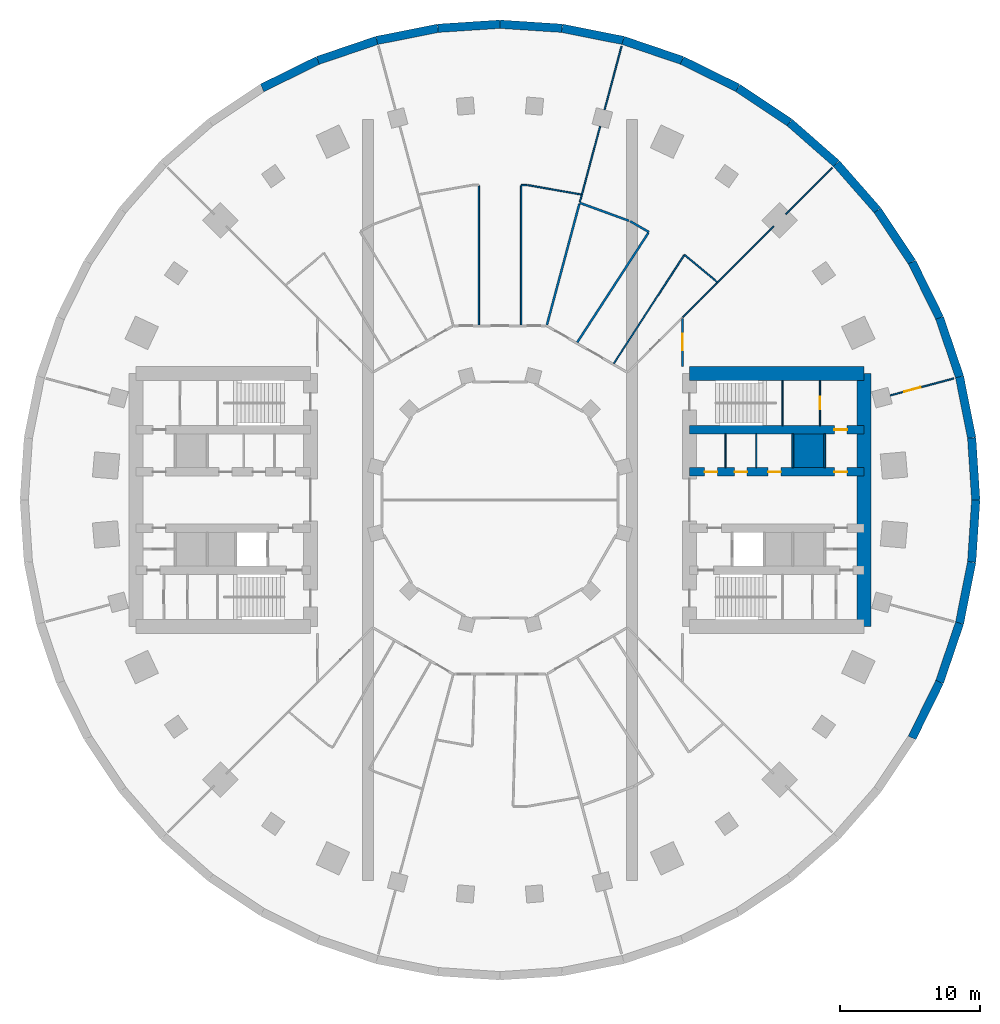
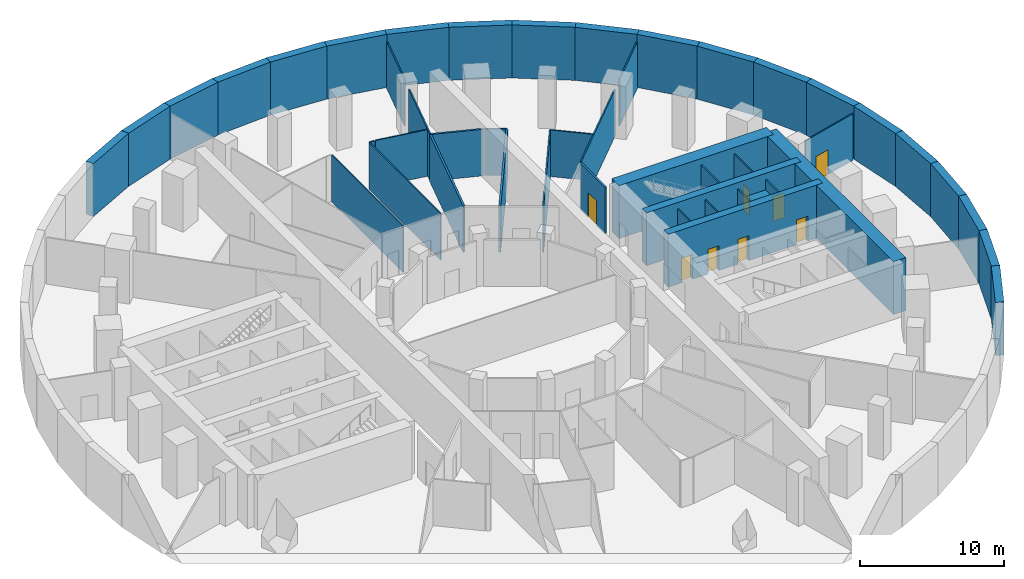
# One storey, part 6 of 8: 47 walls, 8 doors, 8 openings.
"""IFC4 building model written with IfcOpenShell, lengths in metres."""

from ifc_helpers import new_model, si_unit, direction, frame, frame_2d, origin, place, context, subcontext, project, spatial, rectangle, extrude, material, layer, layer_set, type_object, element, fill, save


model = new_model("IFC4")

# Units and contexts
model_context = context("Model", 3, precision=1e-05, world=origin(), true_north=direction((0.0, 1.0)))
body_context = subcontext(model_context, "Body", "Model", "MODEL_VIEW")
ifc_project = project(units=[si_unit("LENGTHUNIT", "METRE"), si_unit("AREAUNIT", "SQUARE_METRE"), si_unit("VOLUMEUNIT", "CUBIC_METRE"), si_unit("PLANEANGLEUNIT", "RADIAN"), si_unit("MASSUNIT", "GRAM", prefix="KILO")], contexts=[model_context])

# Site, building, storey
site_placement = place(None, origin())
site = spatial("IfcSite", under=ifc_project, at=site_placement, CompositionType="ELEMENT")
building_placement = place(site_placement, origin())
building = spatial("IfcBuilding", under=site, at=building_placement, Name="Saqina Gate Tower", CompositionType="ELEMENT")
storey_placement = place(building_placement, frame((0.0, 0.0, -4.5)))
storey = spatial("IfcBuildingStorey", under=building, at=storey_placement, Name="B1", CompositionType="ELEMENT", Elevation=-4.5)

# Walls
ifc_material_1 = material(Name="Gypsum board on steel studs", Category="steel")
ifc_layer_1 = layer(ifc_material_1, 0.10009765625)
ifc_layer_set_1 = layer_set([ifc_layer_1], Name="CORE PARTITION")
wall_type_1 = type_object("IfcWallType", Name="CORE PARTITION", PredefinedType="PARTITIONING", material=ifc_layer_set_1)
for number, where, z_axis, x_axis, name in (
    (1, (16.052001953125, 2.300048828125, 0.0), (0.0, 0.0, 1.0), (0.0, 1.0, 0.0), "B1-CP-E01"),
    (2, (18.24072265625, 2.300048828125, 0.0), (0.0, 0.0, 1.0), (0.0, 1.0, 0.0), "B1-CP-E02"),
):
    element("IfcWall", number, at=place(storey_placement, frame(where, z_axis=z_axis, x_axis=x_axis)), inside=storey, type_object=wall_type_1, Name=name, PredefinedType="PARTITIONING", context=body_context, shape_type="SweptSolid", body=[
        extrude(rectangle(XDim=2.39990234375, YDim=0.10009765625, at=frame_2d((1.199951171875, 0.0))), origin(), (0.0, 0.0, 1.0), 3.949951171875),
    ])

# Wall, opening, door
wall_1_placement = place(storey_placement, frame((22.780029296875, 5.300048828125, 0.0), z_axis=(0.0, 0.0, 1.0), x_axis=(0.0, 1.0, 0.0)))
wall_1 = element("IfcWall", 3, at=wall_1_placement, inside=storey, type_object=wall_type_1, Name="B1-CP-E11", PredefinedType="PARTITIONING", context=body_context, shape_type="SweptSolid", body=[
    extrude(rectangle(XDim=3.199951171875, YDim=0.10009765625, at=frame_2d((1.60009765625, 0.0))), origin(), (0.0, 0.0, 1.0), 3.949951171875),
])
opening_1_placement = place(wall_1_placement, frame((1.14990234375, 0.0, 0.0)))
opening_1 = element("IfcOpeningElement", 4, at=opening_1_placement, cuts=wall_1, Name="Opening B1-D96", PredefinedType="OPENING", context=body_context, shape_type="SweptSolid", body=[
    extrude(rectangle(XDim=0.89990234375, YDim=2.10009765625, at=frame_2d((0.449951171875, 1.050048828125))), frame((0.0, 0.06201171875, 0.0), z_axis=(0.0, -1.0, 0.0), x_axis=(1.0, 0.0, 0.0)), (0.0, 0.0, 1.0), 0.1240234375),
])
ifc_material_2 = material(Name="Steel-framed fire door leaf, EI 60", Category="steel")
door_type_1 = type_object("IfcDoorType", Name="SERVICE ROOM DOOR 900", OperationType="SINGLE_SWING_LEFT", PredefinedType="DOOR", material=ifc_material_2)
door_1_placement = place(opening_1_placement, origin())
door_1 = element("IfcDoor", 5, at=door_1_placement, inside=storey, type_object=door_type_1, Name="B1-CD-E07", OperationType="SINGLE_SWING_LEFT", OverallHeight=2.10009765625, OverallWidth=0.89990234375, PredefinedType="DOOR", context=body_context, shape_type="SweptSolid", body=[
    extrude(rectangle(XDim=0.89990234375, YDim=2.10009765625, at=frame_2d((0.449951171875, 1.050048828125))), frame((0.0, 0.02490234375, 0.0), z_axis=(0.0, -1.0, 0.0), x_axis=(1.0, 0.0, 0.0)), (0.0, 0.0, 1.0), 0.050048828125),
])
fill(opening_1, door_1)

# Walls
ifc_material_3 = material(Name="Concrete C40/50", Category="concrete")
ifc_layer_2 = layer(ifc_material_3, 2.39990234375)
ifc_layer_set_2 = layer_set([ifc_layer_2], Name="Concrete C40/50")
wall_type_2 = type_object("IfcWallType", Name="LIFT PIT PEDESTAL", PredefinedType="SOLIDWALL", material=ifc_layer_set_2)
wall_2_placement = place(storey_placement, frame((20.89990234375, 3.5, 0.0), z_axis=(0.0, 0.0, 1.0), x_axis=(1.0, 0.0, 0.0)))
element("IfcWall", 6, at=wall_2_placement, inside=storey, type_object=wall_type_2, Name="LIFT PIT BASE LR1", PredefinedType="SOLIDWALL", context=body_context, shape_type="SweptSolid", body=[
    extrude(rectangle(XDim=2.16015625, YDim=2.39990234375, at=frame_2d((1.080078125, 0.0))), origin(), (0.0, 0.0, 1.0), 3.10009765625),
])
ifc_material_4 = material(Name="Autoclaved aerated concrete block", Category="concrete")
ifc_layer_3 = layer(ifc_material_4, 0.1201171875)
ifc_layer_set_3 = layer_set([ifc_layer_3], Name="SHAFT PARTITION")
wall_type_3 = type_object("IfcWallType", Name="SHAFT PARTITION", PredefinedType="PARTITIONING", material=ifc_layer_set_3)
for number, where, z_axis, x_axis, name in (
    (7, (20.840087890625, 2.300048828125, 0.0), (0.0, 0.0, 1.0), (0.0, 1.0, 0.0), "B1-CP-E03"),
    (8, (23.1201171875, 2.300048828125, 0.0), (0.0, 0.0, 1.0), (0.0, 1.0, 0.0), "B1-CP-E04"),
):
    element("IfcWall", number, at=place(storey_placement, frame(where, z_axis=z_axis, x_axis=x_axis)), inside=storey, type_object=wall_type_3, Name=name, PredefinedType="PARTITIONING", context=body_context, shape_type="SweptSolid", body=[
        extrude(rectangle(XDim=2.39990234375, YDim=0.1201171875, at=frame_2d((1.199951171875, 0.0))), origin(), (0.0, 0.0, 1.0), 3.949951171875),
    ])
ifc_material_5 = material(Name="Gypsum board on steel studs, 100 mm", Category="steel")
ifc_layer_4 = layer(ifc_material_5, 0.10009765625)
ifc_layer_set_4 = layer_set([ifc_layer_4], Name="SPECIAL PARTITION 100")
wall_type_4 = type_object("IfcWallType", Name="SPECIAL PARTITION 100", PredefinedType="PARTITIONING", material=ifc_layer_set_4)
wall_3_placement = place(storey_placement, frame((13.131103515625, 17.466064453125, 0.0), z_axis=(0.0, 0.0, 1.0), x_axis=(0.765962197231, -0.642885613786, 0.0)))
element("IfcWall", 9, at=wall_3_placement, inside=storey, type_object=wall_type_4, Name="PARTITION 017", PredefinedType="PARTITIONING", context=body_context, shape_type="SweptSolid", body=[
    extrude(rectangle(XDim=3.027099609375, YDim=0.10009765625, at=frame_2d((1.513671875, 0.0))), origin(), (0.0, 0.0, 1.0), 3.949951171875),
])
wall_4_placement = place(storey_placement, frame((1.9609375, 22.419921875, 0.0), z_axis=(0.0, 0.0, 1.0), x_axis=(0.984830477475, -0.173519251487, 0.0)))
element("IfcWall", 10, at=wall_4_placement, inside=storey, type_object=wall_type_4, Name="PARTITION 030", PredefinedType="PARTITIONING", context=body_context, shape_type="SweptSolid", body=[
    extrude(rectangle(XDim=3.87353515625, YDim=0.10009765625, at=frame_2d((1.936767578125, 0.0))), origin(), (0.0, 0.0, 1.0), 3.949951171875),
])
wall_5_placement = place(storey_placement, frame((1.5, 22.419921875, 0.0), z_axis=(0.0, 0.0, 1.0), x_axis=(1.0, 0.0, 0.0)))
element("IfcWall", 11, at=wall_5_placement, inside=storey, type_object=wall_type_4, Name="PARTITION 038", PredefinedType="PARTITIONING", context=body_context, shape_type="SweptSolid", body=[
    extrude(rectangle(XDim=0.410888671875, YDim=0.10009765625, at=frame_2d((0.20556640625, 0.0))), origin(), (0.0, 0.0, 1.0), 3.949951171875),
])

# Wall, opening, door
wall_6_placement = place(storey_placement, frame((27.780029296875, 7.44384765625, 0.0), z_axis=(0.0, 0.0, 1.0), x_axis=(0.965934336634, 0.258787281972, 0.0)))
wall_6 = element("IfcWall", 12, at=wall_6_placement, inside=storey, type_object=wall_type_4, Name="PARTITION 042", PredefinedType="PARTITIONING", context=body_context, shape_type="SweptSolid", body=[
    extrude(rectangle(XDim=4.687744140625, YDim=0.10009765625, at=frame_2d((2.34375, 0.0))), origin(), (0.0, 0.0, 1.0), 3.949951171875),
])
opening_2_placement = place(wall_6_placement, frame((1.029541015625, 0.0, 0.0)))
opening_2 = element("IfcOpeningElement", 13, at=opening_2_placement, cuts=wall_6, Name="Opening B1-D01", PredefinedType="OPENING", context=body_context, shape_type="SweptSolid", body=[
    extrude(rectangle(XDim=1.199951171875, YDim=2.10009765625, at=frame_2d((0.60009765625, 1.050048828125))), frame((0.0, 0.06201171875, 0.0), z_axis=(0.0, -1.0, 0.0), x_axis=(1.0, 0.0, 0.0)), (0.0, 0.0, 1.0), 0.1240234375),
])
ifc_material_6 = material(Name="Timber door leaf", Category="wood")
door_type_2 = type_object("IfcDoorType", Name="SPECIAL DOOR 1200 TIMBER", OperationType="SINGLE_SWING_LEFT", PredefinedType="DOOR", material=ifc_material_6)
door_2_placement = place(opening_2_placement, origin())
door_2 = element("IfcDoor", 14, at=door_2_placement, inside=storey, type_object=door_type_2, Name="DOOR B1-D01", OperationType="SINGLE_SWING_LEFT", OverallHeight=2.10009765625, OverallWidth=1.199951171875, PredefinedType="DOOR", context=body_context, shape_type="SweptSolid", body=[
    extrude(rectangle(XDim=1.199951171875, YDim=2.10009765625, at=frame_2d((0.60009765625, 1.050048828125))), frame((0.0, 0.02490234375, 0.0), z_axis=(0.0, -1.0, 0.0), x_axis=(1.0, 0.0, 0.0)), (0.0, 0.0, 1.0), 0.050048828125),
])
fill(opening_2, door_2)

# Walls
wall_7_placement = place(storey_placement, frame((13.0, 13.0, 0.0), z_axis=(0.0, 0.0, 1.0), x_axis=(0.707106781187, 0.707106781187, 0.0)))
element("IfcWall", 15, at=wall_7_placement, inside=storey, type_object=wall_type_4, Name="PARTITION 055", PredefinedType="PARTITIONING", context=body_context, shape_type="SweptSolid", body=[
    extrude(rectangle(XDim=9.155029296875, YDim=0.10009765625, at=frame_2d((4.57763671875, 0.0))), origin(), (0.0, 0.0, 1.0), 3.949951171875),
])
wall_8_placement = place(storey_placement, frame((20.33642578125, 20.33642578125, 0.0), z_axis=(0.0, 0.0, 1.0), x_axis=(0.707106781187, 0.707106781187, 0.0)))
element("IfcWall", 16, at=wall_8_placement, inside=storey, type_object=wall_type_4, Name="PARTITION 056", PredefinedType="PARTITIONING", context=body_context, shape_type="SweptSolid", body=[
    extrude(rectangle(XDim=4.687255859375, YDim=0.10009765625, at=frame_2d((2.34375, 0.0))), origin(), (0.0, 0.0, 1.0), 3.949951171875),
])
wall_9_placement = place(storey_placement, frame((8.10400390625, 9.725341796875, 0.0), z_axis=(0.0, 0.0, 1.0), x_axis=(0.544649902599, 0.838663510354, 0.0)))
element("IfcWall", 17, at=wall_9_placement, inside=storey, type_object=wall_type_4, Name="PARTITION 059", PredefinedType="PARTITIONING", context=body_context, shape_type="SweptSolid", body=[
    extrude(rectangle(XDim=9.1796875, YDim=0.10009765625, at=frame_2d((4.58984375, 0.0))), origin(), (0.0, 0.0, 1.0), 3.949951171875),
])
wall_10_placement = place(storey_placement, frame((5.6884765625, 21.2294921875, 0.0), z_axis=(0.0, 0.0, 1.0), x_axis=(0.258820927891, 0.965925321796, 0.0)))
element("IfcWall", 18, at=wall_10_placement, inside=storey, type_object=wall_type_4, Name="PARTITION 067", PredefinedType="PARTITIONING", context=body_context, shape_type="SweptSolid", body=[
    extrude(rectangle(XDim=5.5615234375, YDim=0.10009765625, at=frame_2d((2.78076171875, 0.0))), origin(), (0.0, 0.0, 1.0), 3.949951171875),
])
wall_11_placement = place(storey_placement, frame((7.443603515625, 27.780029296875, 0.0), z_axis=(0.0, 0.0, 1.0), x_axis=(0.258835873478, 0.965921316982, 0.0)))
element("IfcWall", 19, at=wall_11_placement, inside=storey, type_object=wall_type_4, Name="PARTITION 068", PredefinedType="PARTITIONING", context=body_context, shape_type="SweptSolid", body=[
    extrude(rectangle(XDim=4.687744140625, YDim=0.10009765625, at=frame_2d((2.34375, 0.0))), origin(), (0.0, 0.0, 1.0), 3.949951171875),
])
for number, where, z_axis, x_axis, name in (
    (20, (1.5, 12.47509765625, 0.0), (0.0, 0.0, 1.0), (0.0, 1.0, 0.0), "PARTITION 075"),
    (21, (-1.5, 12.47509765625, 0.0), (0.0, 0.0, 1.0), (0.0, 1.0, 0.0), "PARTITION 076"),
):
    element("IfcWall", number, at=place(storey_placement, frame(where, z_axis=z_axis, x_axis=x_axis)), inside=storey, type_object=wall_type_4, Name=name, PredefinedType="PARTITIONING", context=body_context, shape_type="SweptSolid", body=[
        extrude(rectangle(XDim=9.89501953125, YDim=0.10009765625, at=frame_2d((4.947509765625, 0.0))), origin(), (0.0, 0.0, 1.0), 3.949951171875),
    ])

# Wall, opening, door
ifc_material_7 = material(Name="Gypsum board on steel studs, 150 mm, fire rated", Category="steel")
ifc_layer_5 = layer(ifc_material_7, 0.14990234375)
ifc_layer_set_5 = layer_set([ifc_layer_5], Name="SPECIAL PARTITION EI 30 150")
wall_type_5 = type_object("IfcWallType", Name="SPECIAL PARTITION EI 30 150", PredefinedType="PARTITIONING", material=ifc_layer_set_5)
wall_12_placement = place(storey_placement, frame((13.0, 9.5, 0.0), z_axis=(0.0, 0.0, 1.0), x_axis=(0.0, 1.0, 0.0)))
wall_12 = element("IfcWall", 22, at=wall_12_placement, inside=storey, type_object=wall_type_5, Name="PARTITION 073", PredefinedType="PARTITIONING", context=body_context, shape_type="SweptSolid", body=[
    extrude(rectangle(XDim=3.425048828125, YDim=0.14990234375, at=frame_2d((1.71240234375, 0.0))), origin(), (0.0, 0.0, 1.0), 3.949951171875),
])
opening_3_placement = place(wall_12_placement, frame((1.14990234375, 0.0, 0.0)))
opening_3 = element("IfcOpeningElement", 23, at=opening_3_placement, cuts=wall_12, Name="Opening B1-D02", PredefinedType="OPENING", context=body_context, shape_type="SweptSolid", body=[
    extrude(rectangle(XDim=1.199951171875, YDim=2.10009765625, at=frame_2d((0.60009765625, 1.050048828125))), frame((0.0, 0.0869140625, 0.0), z_axis=(0.0, -1.0, 0.0), x_axis=(1.0, 0.0, 0.0)), (0.0, 0.0, 1.0), 0.173828125),
])
ifc_material_8 = material(Name="Steel-framed fire door leaf, EI 30", Category="steel")
door_type_3 = type_object("IfcDoorType", Name="SPECIAL DOOR 1200 FIRE EI 30", OperationType="SINGLE_SWING_LEFT", PredefinedType="DOOR", material=ifc_material_8)
door_3_placement = place(opening_3_placement, origin())
door_3 = element("IfcDoor", 24, at=door_3_placement, inside=storey, type_object=door_type_3, Name="DOOR B1-D02", OperationType="SINGLE_SWING_RIGHT", OverallHeight=2.10009765625, OverallWidth=1.199951171875, PredefinedType="DOOR", context=body_context, shape_type="SweptSolid", body=[
    extrude(rectangle(XDim=1.199951171875, YDim=2.10009765625, at=frame_2d((0.60009765625, 1.050048828125))), frame((0.0, 0.02490234375, 0.0), z_axis=(0.0, -1.0, 0.0), x_axis=(1.0, 0.0, 0.0)), (0.0, 0.0, 1.0), 0.050048828125),
])
fill(opening_3, door_3)

# Walls
ifc_material_9 = material(Name="Masonry block and plaster, 150 mm, fire rated", Category="masonry")
ifc_layer_6 = layer(ifc_material_9, 0.14990234375)
ifc_layer_set_6 = layer_set([ifc_layer_6], Name="SPECIAL PARTITION EI 60 150")
wall_type_6 = type_object("IfcWallType", Name="SPECIAL PARTITION EI 60 150", PredefinedType="PARTITIONING", material=ifc_layer_set_6)
wall_13_placement = place(storey_placement, frame((9.257080078125, 19.85107421875, 0.0), z_axis=(0.0, 0.0, 1.0), x_axis=(0.866093831647, -0.499881460731, 0.0)))
element("IfcWall", 25, at=wall_13_placement, inside=storey, type_object=wall_type_6, Name="PARTITION 022", PredefinedType="PARTITIONING", context=body_context, shape_type="SweptSolid", body=[
    extrude(rectangle(XDim=1.55078125, YDim=0.14990234375, at=frame_2d((0.775390625, 0.0))), origin(), (0.0, 0.0, 1.0), 3.949951171875),
])
wall_14_placement = place(storey_placement, frame((5.6689453125, 21.156982421875, 0.0), z_axis=(0.0, 0.0, 1.0), x_axis=(0.939694363407, -0.342015355476, 0.0)))
element("IfcWall", 26, at=wall_14_placement, inside=storey, type_object=wall_type_6, Name="PARTITION 026", PredefinedType="PARTITIONING", context=body_context, shape_type="SweptSolid", body=[
    extrude(rectangle(XDim=3.743408203125, YDim=0.14990234375, at=frame_2d((1.87158203125, 0.0))), origin(), (0.0, 0.0, 1.0), 3.949951171875),
])
wall_15_placement = place(storey_placement, frame((5.5029296875, 11.227783203125, 0.0), z_axis=(0.0, 0.0, 1.0), x_axis=(0.5446582962, 0.838658059271, 0.0)))
element("IfcWall", 27, at=wall_15_placement, inside=storey, type_object=wall_type_6, Name="PARTITION 060", PredefinedType="PARTITIONING", context=body_context, shape_type="SweptSolid", body=[
    extrude(rectangle(XDim=9.283203125, YDim=0.14990234375, at=frame_2d((4.6416015625, 0.0))), origin(), (0.0, 0.0, 1.0), 3.949951171875),
])
wall_16_placement = place(storey_placement, frame((3.34228515625, 12.472412109375, 0.0), z_axis=(0.0, 0.0, 1.0), x_axis=(0.258789007971, 0.965933874214, 0.0)))
element("IfcWall", 28, at=wall_16_placement, inside=storey, type_object=wall_type_6, Name="PARTITION 069", PredefinedType="PARTITIONING", context=body_context, shape_type="SweptSolid", body=[
    extrude(rectangle(XDim=8.916015625, YDim=0.14990234375, at=frame_2d((4.4580078125, 0.0))), origin(), (0.0, 0.0, 1.0), 3.949951171875),
])
ifc_material_10 = material(Name="Autoclaved aerated concrete block", Category="concrete")
ifc_layer_7 = layer(ifc_material_10, 0.10009765625)
ifc_layer_set_7 = layer_set([ifc_layer_7], Name="STAIR ENCLOSURE WALL")
wall_type_7 = type_object("IfcWallType", Name="STAIR ENCLOSURE WALL", PredefinedType="PARTITIONING", material=ifc_layer_set_7)
wall_17_placement = place(storey_placement, frame((20.110107421875, 5.300048828125, 0.0), z_axis=(0.0, 0.0, 1.0), x_axis=(0.0, 1.0, 0.0)))
element("IfcWall", 29, at=wall_17_placement, inside=storey, type_object=wall_type_7, Name="B1-CP-E10", PredefinedType="PARTITIONING", context=body_context, shape_type="SweptSolid", body=[
    extrude(rectangle(XDim=3.199951171875, YDim=0.10009765625, at=frame_2d((1.60009765625, 0.0))), origin(), (0.0, 0.0, 1.0), 3.949951171875),
])

# Wall, opening, door
ifc_material_11 = material(Name="Concrete C70/85", Category="concrete")
ifc_layer_8 = layer(ifc_material_11, 0.60009765625)
ifc_layer_set_8 = layer_set([ifc_layer_8], Name="Concrete C70/85")
wall_type_8 = type_object("IfcWallType", Name="STR-CORE WALL-P-I", PredefinedType="SHEAR", material=ifc_layer_set_8)
wall_18_placement = place(storey_placement, frame((13.5, 5.0, 0.0), z_axis=(0.0, 0.0, 1.0), x_axis=(1.0, 0.0, 0.0)))
wall_18 = element("IfcWall", 30, at=wall_18_placement, inside=storey, type_object=wall_type_8, Name="CORE WALL B1 E-X1", PredefinedType="SHEAR", context=body_context, shape_type="SweptSolid", body=[
    extrude(rectangle(XDim=12.39990234375, YDim=0.60009765625, at=frame_2d((6.199951171875, 0.0))), origin(), (0.0, 0.0, 1.0), 4.5),
])
opening_4_placement = place(wall_18_placement, frame((10.31005859375, 0.0, 0.0)))
opening_4 = element("IfcOpeningElement", 31, at=opening_4_placement, cuts=wall_18, Name="Opening B1-D97", PredefinedType="OPENING", context=body_context, shape_type="SweptSolid", body=[
    extrude(rectangle(XDim=0.89990234375, YDim=2.10009765625, at=frame_2d((0.449951171875, 1.050048828125))), frame((0.0, 0.31201171875, 0.0), z_axis=(0.0, -1.0, 0.0), x_axis=(1.0, 0.0, 0.0)), (0.0, 0.0, 1.0), 0.6240234375),
])
door_4_placement = place(opening_4_placement, origin())
door_4 = element("IfcDoor", 32, at=door_4_placement, inside=storey, type_object=door_type_1, Name="B1-CD-E08", OperationType="SINGLE_SWING_RIGHT", OverallHeight=2.10009765625, OverallWidth=0.89990234375, PredefinedType="DOOR", context=body_context, shape_type="SweptSolid", body=[
    extrude(rectangle(XDim=0.89990234375, YDim=2.10009765625, at=frame_2d((0.449951171875, 1.050048828125))), frame((0.0, 0.02490234375, 0.0), z_axis=(0.0, -1.0, 0.0), x_axis=(1.0, 0.0, 0.0)), (0.0, 0.0, 1.0), 0.050048828125),
])
fill(opening_4, door_4)

# Wall, openings, doors
wall_19_placement = place(storey_placement, frame((13.5, 2.0, 0.0), z_axis=(0.0, 0.0, 1.0), x_axis=(1.0, 0.0, 0.0)))
wall_19 = element("IfcWall", 33, at=wall_19_placement, inside=storey, type_object=wall_type_8, Name="CORE WALL B1 E-L1", PredefinedType="SHEAR", context=body_context, shape_type="SweptSolid", body=[
    extrude(rectangle(XDim=12.39990234375, YDim=0.60009765625, at=frame_2d((6.199951171875, 0.0))), origin(), (0.0, 0.0, 1.0), 4.5),
])
opening_5_placement = place(wall_19_placement, frame((1.075927734375, 0.0, 0.0)))
opening_5 = element("IfcOpeningElement", 34, at=opening_5_placement, cuts=wall_19, Name="Opening B1-D90", PredefinedType="OPENING", context=body_context, shape_type="SweptSolid", body=[
    extrude(rectangle(XDim=0.89990234375, YDim=2.10009765625, at=frame_2d((0.449951171875, 1.050048828125))), frame((0.0, 0.31201171875, 0.0), z_axis=(0.0, -1.0, 0.0), x_axis=(1.0, 0.0, 0.0)), (0.0, 0.0, 1.0), 0.6240234375),
])
opening_6_placement = place(wall_19_placement, frame((3.1962890625, 0.0, 0.0)))
opening_6 = element("IfcOpeningElement", 35, at=opening_6_placement, cuts=wall_19, Name="Opening B1-D91", PredefinedType="OPENING", context=body_context, shape_type="SweptSolid", body=[
    extrude(rectangle(XDim=0.89990234375, YDim=2.10009765625, at=frame_2d((0.449951171875, 1.050048828125))), frame((0.0, 0.31201171875, 0.0), z_axis=(0.0, -1.0, 0.0), x_axis=(1.0, 0.0, 0.0)), (0.0, 0.0, 1.0), 0.6240234375),
])
opening_7_placement = place(wall_19_placement, frame((5.59033203125, 0.0, 0.0)))
opening_7 = element("IfcOpeningElement", 36, at=opening_7_placement, cuts=wall_19, Name="Opening B1-D92", PredefinedType="OPENING", context=body_context, shape_type="SweptSolid", body=[
    extrude(rectangle(XDim=0.89990234375, YDim=2.10009765625, at=frame_2d((0.449951171875, 1.050048828125))), frame((0.0, 0.31201171875, 0.0), z_axis=(0.0, -1.0, 0.0), x_axis=(1.0, 0.0, 0.0)), (0.0, 0.0, 1.0), 0.6240234375),
])
opening_8_placement = place(wall_19_placement, frame((10.31005859375, 0.0, 0.0)))
opening_8 = element("IfcOpeningElement", 37, at=opening_8_placement, cuts=wall_19, Name="Opening B1-D93", PredefinedType="OPENING", context=body_context, shape_type="SweptSolid", body=[
    extrude(rectangle(XDim=0.89990234375, YDim=2.10009765625, at=frame_2d((0.449951171875, 1.050048828125))), frame((0.0, 0.31201171875, 0.0), z_axis=(0.0, -1.0, 0.0), x_axis=(1.0, 0.0, 0.0)), (0.0, 0.0, 1.0), 0.6240234375),
])
door_5_placement = place(opening_5_placement, origin())
door_5 = element("IfcDoor", 38, at=door_5_placement, inside=storey, type_object=door_type_1, Name="B1-CD-E01", OperationType="SINGLE_SWING_RIGHT", OverallHeight=2.10009765625, OverallWidth=0.89990234375, PredefinedType="DOOR", context=body_context, shape_type="SweptSolid", body=[
    extrude(rectangle(XDim=0.89990234375, YDim=2.10009765625, at=frame_2d((0.449951171875, 1.050048828125))), frame((0.0, 0.02490234375, 0.0), z_axis=(0.0, -1.0, 0.0), x_axis=(1.0, 0.0, 0.0)), (0.0, 0.0, 1.0), 0.050048828125),
])
fill(opening_5, door_5)
door_6_placement = place(opening_6_placement, origin())
door_6 = element("IfcDoor", 39, at=door_6_placement, inside=storey, type_object=door_type_1, Name="B1-CD-E02", OperationType="SINGLE_SWING_LEFT", OverallHeight=2.10009765625, OverallWidth=0.89990234375, PredefinedType="DOOR", context=body_context, shape_type="SweptSolid", body=[
    extrude(rectangle(XDim=0.89990234375, YDim=2.10009765625, at=frame_2d((0.449951171875, 1.050048828125))), frame((0.0, 0.02490234375, 0.0), z_axis=(0.0, -1.0, 0.0), x_axis=(1.0, 0.0, 0.0)), (0.0, 0.0, 1.0), 0.050048828125),
])
fill(opening_6, door_6)
door_7_placement = place(opening_7_placement, origin())
door_7 = element("IfcDoor", 40, at=door_7_placement, inside=storey, type_object=door_type_1, Name="B1-CD-E03", OperationType="SINGLE_SWING_LEFT", OverallHeight=2.10009765625, OverallWidth=0.89990234375, PredefinedType="DOOR", context=body_context, shape_type="SweptSolid", body=[
    extrude(rectangle(XDim=0.89990234375, YDim=2.10009765625, at=frame_2d((0.449951171875, 1.050048828125))), frame((0.0, 0.02490234375, 0.0), z_axis=(0.0, -1.0, 0.0), x_axis=(1.0, 0.0, 0.0)), (0.0, 0.0, 1.0), 0.050048828125),
])
fill(opening_7, door_7)
door_8_placement = place(opening_8_placement, origin())
door_8 = element("IfcDoor", 41, at=door_8_placement, inside=storey, type_object=door_type_1, Name="B1-CD-E04", OperationType="SINGLE_SWING_RIGHT", OverallHeight=2.10009765625, OverallWidth=0.89990234375, PredefinedType="DOOR", context=body_context, shape_type="SweptSolid", body=[
    extrude(rectangle(XDim=0.89990234375, YDim=2.10009765625, at=frame_2d((0.449951171875, 1.050048828125))), frame((0.0, 0.02490234375, 0.0), z_axis=(0.0, -1.0, 0.0), x_axis=(1.0, 0.0, 0.0)), (0.0, 0.0, 1.0), 0.050048828125),
])
fill(opening_8, door_8)

# Walls
ifc_material_12 = material(Name="Concrete C70/85", Category="concrete")
ifc_layer_9 = layer(ifc_material_12, 1.0)
ifc_layer_set_9 = layer_set([ifc_layer_9], Name="Concrete C70/85")
wall_type_9 = type_object("IfcWallType", Name="STR-CORE WALL-P-O", PredefinedType="SHEAR", material=ifc_layer_set_9)
wall_20_placement = place(storey_placement, frame((25.89990234375, -9.0, 0.0), z_axis=(0.0, 0.0, 1.0), x_axis=(0.0, 1.0, 0.0)))
element("IfcWall", 42, at=wall_20_placement, inside=storey, type_object=wall_type_9, Name="CORE WALL B1 E-W2", PredefinedType="SHEAR", context=body_context, shape_type="SweptSolid", body=[
    extrude(rectangle(XDim=18.0, YDim=1.0, at=frame_2d((9.0, 0.0))), origin(), (0.0, 0.0, 1.0), 4.5),
])
wall_21_placement = place(storey_placement, frame((13.5, 9.0, 0.0), z_axis=(0.0, 0.0, 1.0), x_axis=(1.0, 0.0, 0.0)))
element("IfcWall", 43, at=wall_21_placement, inside=storey, type_object=wall_type_9, Name="CORE WALL B1 E-NE", PredefinedType="SHEAR", context=body_context, shape_type="SweptSolid", body=[
    extrude(rectangle(XDim=12.39990234375, YDim=1.0, at=frame_2d((6.199951171875, 0.0))), origin(), (0.0, 0.0, 1.0), 4.5),
])
ifc_material_13 = material(Name="Concrete C40/50", Category="concrete")
ifc_layer_10 = layer(ifc_material_13, 0.60009765625)
ifc_layer_set_10 = layer_set([ifc_layer_10], Name="Concrete C40/50")
wall_type_10 = type_object("IfcWallType", Name="STR-WALL-RETAINING", PredefinedType="SOLIDWALL", material=ifc_layer_set_10)
wall_22_placement = place(storey_placement, frame((33.87255859375, 0.0, 0.0), z_axis=(0.0, 0.0, 1.0), x_axis=(-0.065407158232, 0.997858659156, 0.0)))
element("IfcWall", 44, at=wall_22_placement, inside=storey, type_object=wall_type_10, Name="BASEMENT RETAINING WALL 01", PredefinedType="SOLIDWALL", context=body_context, shape_type="SweptSolid", body=[
    extrude(rectangle(XDim=4.4306640625, YDim=0.60009765625, at=frame_2d((2.21533203125, 0.0))), origin(), (0.0, 0.0, 1.0), 4.5),
])
wall_23_placement = place(storey_placement, frame((33.582763671875, 4.421142578125, 0.0), z_axis=(0.0, 0.0, 1.0), x_axis=(-0.195109395659, 0.980781486227, 0.0)))
element("IfcWall", 45, at=wall_23_placement, inside=storey, type_object=wall_type_10, Name="BASEMENT RETAINING WALL 02", PredefinedType="SOLIDWALL", context=body_context, shape_type="SweptSolid", body=[
    extrude(rectangle(XDim=4.430908203125, YDim=0.60009765625, at=frame_2d((2.21533203125, 0.0))), origin(), (0.0, 0.0, 1.0), 4.5),
])
wall_24_placement = place(storey_placement, frame((32.71826171875, 8.766845703125, 0.0), z_axis=(0.0, 0.0, 1.0), x_axis=(-0.321413701295, 0.946938874807, 0.0)))
element("IfcWall", 46, at=wall_24_placement, inside=storey, type_object=wall_type_10, Name="BASEMENT RETAINING WALL 03", PredefinedType="SOLIDWALL", context=body_context, shape_type="SweptSolid", body=[
    extrude(rectangle(XDim=4.4306640625, YDim=0.60009765625, at=frame_2d((2.21533203125, 0.0))), origin(), (0.0, 0.0, 1.0), 4.5),
])
for number, where, z_axis, x_axis, name in (
    (47, (31.294189453125, 12.96240234375, 0.0), (0.0, 0.0, 1.0), (-0.442291876975, 0.896871169992, 0.0), "BASEMENT RETAINING WALL 04"),
    (48, (29.33447265625, 16.936279296875, 0.0), (0.0, 0.0, 1.0), (-0.555577255626, 0.831464919904, 0.0), "BASEMENT RETAINING WALL 05"),
):
    element("IfcWall", number, at=place(storey_placement, frame(where, z_axis=z_axis, x_axis=x_axis)), inside=storey, type_object=wall_type_10, Name=name, PredefinedType="SOLIDWALL", context=body_context, shape_type="SweptSolid", body=[
        extrude(rectangle(XDim=4.430908203125, YDim=0.60009765625, at=frame_2d((2.21533203125, 0.0))), origin(), (0.0, 0.0, 1.0), 4.5),
    ])
for number, where, z_axis, x_axis, name in (
    (49, (26.872802734375, 20.620361328125, 0.0), (0.0, 0.0, 1.0), (-0.659362420985, 0.751825244185, 0.0), "BASEMENT RETAINING WALL 06"),
    (50, (23.951416015625, 23.951416015625, 0.0), (0.0, 0.0, 1.0), (-0.751825244185, 0.659362420985, 0.0), "BASEMENT RETAINING WALL 07"),
):
    element("IfcWall", number, at=place(storey_placement, frame(where, z_axis=z_axis, x_axis=x_axis)), inside=storey, type_object=wall_type_10, Name=name, PredefinedType="SOLIDWALL", context=body_context, shape_type="SweptSolid", body=[
        extrude(rectangle(XDim=4.4306640625, YDim=0.60009765625, at=frame_2d((2.21533203125, 0.0))), origin(), (0.0, 0.0, 1.0), 4.5),
    ])
for number, where, z_axis, x_axis, name in (
    (51, (20.620361328125, 26.872802734375, 0.0), (0.0, 0.0, 1.0), (-0.831464919904, 0.555577255626, 0.0), "BASEMENT RETAINING WALL 08"),
    (52, (16.936279296875, 29.33447265625, 0.0), (0.0, 0.0, 1.0), (-0.896871169992, 0.442291876975, 0.0), "BASEMENT RETAINING WALL 09"),
):
    element("IfcWall", number, at=place(storey_placement, frame(where, z_axis=z_axis, x_axis=x_axis)), inside=storey, type_object=wall_type_10, Name=name, PredefinedType="SOLIDWALL", context=body_context, shape_type="SweptSolid", body=[
        extrude(rectangle(XDim=4.430908203125, YDim=0.60009765625, at=frame_2d((2.21533203125, 0.0))), origin(), (0.0, 0.0, 1.0), 4.5),
    ])
wall_25_placement = place(storey_placement, frame((12.96240234375, 31.294189453125, 0.0), z_axis=(0.0, 0.0, 1.0), x_axis=(-0.946938874807, 0.321413701295, 0.0)))
element("IfcWall", 53, at=wall_25_placement, inside=storey, type_object=wall_type_10, Name="BASEMENT RETAINING WALL 10", PredefinedType="SOLIDWALL", context=body_context, shape_type="SweptSolid", body=[
    extrude(rectangle(XDim=4.4306640625, YDim=0.60009765625, at=frame_2d((2.21533203125, 0.0))), origin(), (0.0, 0.0, 1.0), 4.5),
])
wall_26_placement = place(storey_placement, frame((8.766845703125, 32.71826171875, 0.0), z_axis=(0.0, 0.0, 1.0), x_axis=(-0.980781486227, 0.195109395659, 0.0)))
element("IfcWall", 54, at=wall_26_placement, inside=storey, type_object=wall_type_10, Name="BASEMENT RETAINING WALL 11", PredefinedType="SOLIDWALL", context=body_context, shape_type="SweptSolid", body=[
    extrude(rectangle(XDim=4.430908203125, YDim=0.60009765625, at=frame_2d((2.21533203125, 0.0))), origin(), (0.0, 0.0, 1.0), 4.5),
])
for number, where, z_axis, x_axis, name in (
    (55, (4.421142578125, 33.582763671875, 0.0), (0.0, 0.0, 1.0), (-0.997858659156, 0.065407158232, 0.0), "BASEMENT RETAINING WALL 12"),
    (56, (0.0, 33.87255859375, 0.0), (0.0, 0.0, 1.0), (-0.997858659156, -0.065407158232, 0.0), "BASEMENT RETAINING WALL 13"),
):
    element("IfcWall", number, at=place(storey_placement, frame(where, z_axis=z_axis, x_axis=x_axis)), inside=storey, type_object=wall_type_10, Name=name, PredefinedType="SOLIDWALL", context=body_context, shape_type="SweptSolid", body=[
        extrude(rectangle(XDim=4.4306640625, YDim=0.60009765625, at=frame_2d((2.21533203125, 0.0))), origin(), (0.0, 0.0, 1.0), 4.5),
    ])
wall_27_placement = place(storey_placement, frame((-4.421142578125, 33.582763671875, 0.0), z_axis=(0.0, 0.0, 1.0), x_axis=(-0.980781486227, -0.195109395659, 0.0)))
element("IfcWall", 57, at=wall_27_placement, inside=storey, type_object=wall_type_10, Name="BASEMENT RETAINING WALL 14", PredefinedType="SOLIDWALL", context=body_context, shape_type="SweptSolid", body=[
    extrude(rectangle(XDim=4.430908203125, YDim=0.60009765625, at=frame_2d((2.21533203125, 0.0))), origin(), (0.0, 0.0, 1.0), 4.5),
])
wall_28_placement = place(storey_placement, frame((-8.766845703125, 32.71826171875, 0.0), z_axis=(0.0, 0.0, 1.0), x_axis=(-0.946938874807, -0.321413701295, 0.0)))
element("IfcWall", 58, at=wall_28_placement, inside=storey, type_object=wall_type_10, Name="BASEMENT RETAINING WALL 15", PredefinedType="SOLIDWALL", context=body_context, shape_type="SweptSolid", body=[
    extrude(rectangle(XDim=4.4306640625, YDim=0.60009765625, at=frame_2d((2.21533203125, 0.0))), origin(), (0.0, 0.0, 1.0), 4.5),
])
for number, where, z_axis, x_axis, name in (
    (59, (-12.96240234375, 31.294189453125, 0.0), (0.0, 0.0, 1.0), (-0.896871169992, -0.442291876975, 0.0), "BASEMENT RETAINING WALL 16"),
    (60, (29.33447265625, -16.936279296875, 0.0), (0.0, 0.0, 1.0), (0.442291876975, 0.896871169992, 0.0), "BASEMENT RETAINING WALL 45"),
):
    element("IfcWall", number, at=place(storey_placement, frame(where, z_axis=z_axis, x_axis=x_axis)), inside=storey, type_object=wall_type_10, Name=name, PredefinedType="SOLIDWALL", context=body_context, shape_type="SweptSolid", body=[
        extrude(rectangle(XDim=4.430908203125, YDim=0.60009765625, at=frame_2d((2.21533203125, 0.0))), origin(), (0.0, 0.0, 1.0), 4.5),
    ])
wall_29_placement = place(storey_placement, frame((31.294189453125, -12.96240234375, 0.0), z_axis=(0.0, 0.0, 1.0), x_axis=(0.321413701295, 0.946938874807, 0.0)))
element("IfcWall", 61, at=wall_29_placement, inside=storey, type_object=wall_type_10, Name="BASEMENT RETAINING WALL 46", PredefinedType="SOLIDWALL", context=body_context, shape_type="SweptSolid", body=[
    extrude(rectangle(XDim=4.4306640625, YDim=0.60009765625, at=frame_2d((2.21533203125, 0.0))), origin(), (0.0, 0.0, 1.0), 4.5),
])
wall_30_placement = place(storey_placement, frame((32.71826171875, -8.766845703125, 0.0), z_axis=(0.0, 0.0, 1.0), x_axis=(0.195109395659, 0.980781486227, 0.0)))
element("IfcWall", 62, at=wall_30_placement, inside=storey, type_object=wall_type_10, Name="BASEMENT RETAINING WALL 47", PredefinedType="SOLIDWALL", context=body_context, shape_type="SweptSolid", body=[
    extrude(rectangle(XDim=4.430908203125, YDim=0.60009765625, at=frame_2d((2.21533203125, 0.0))), origin(), (0.0, 0.0, 1.0), 4.5),
])
wall_31_placement = place(storey_placement, frame((33.582763671875, -4.421142578125, 0.0), z_axis=(0.0, 0.0, 1.0), x_axis=(0.065407158232, 0.997858659156, 0.0)))
element("IfcWall", 63, at=wall_31_placement, inside=storey, type_object=wall_type_10, Name="BASEMENT RETAINING WALL 48", PredefinedType="SOLIDWALL", context=body_context, shape_type="SweptSolid", body=[
    extrude(rectangle(XDim=4.4306640625, YDim=0.60009765625, at=frame_2d((2.21533203125, 0.0))), origin(), (0.0, 0.0, 1.0), 4.5),
])

save(model, "model.ifc")
